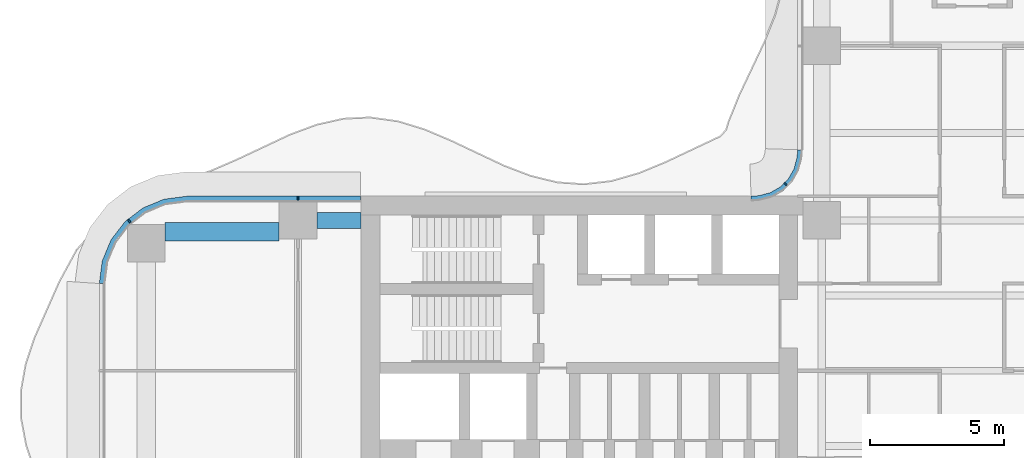
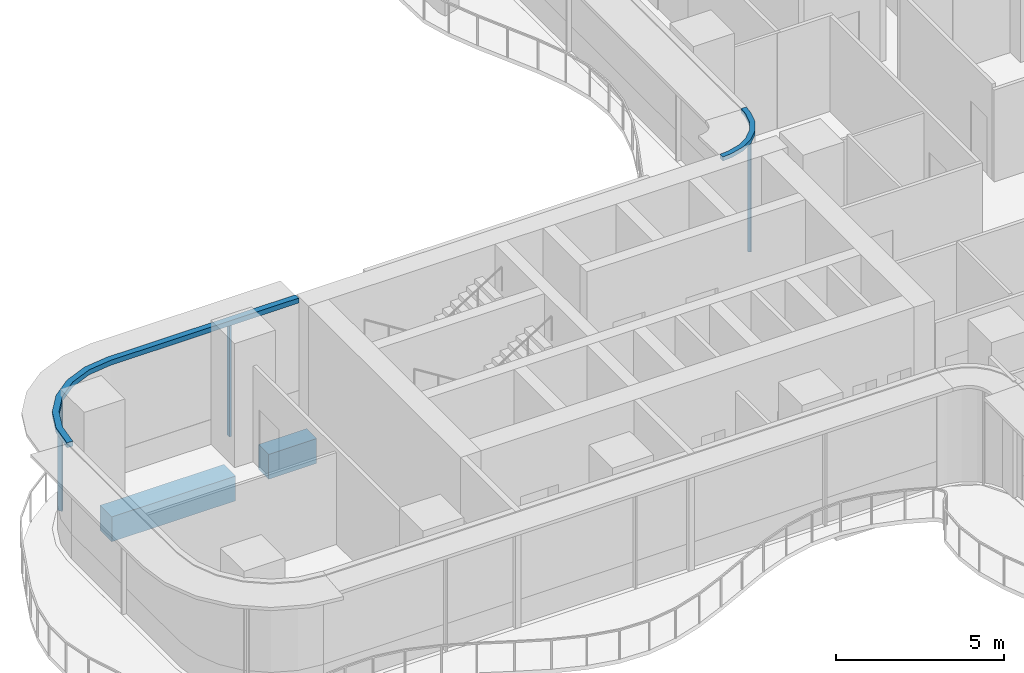
# One storey, part 8 of 23: 5 members, 2 beams, 2 elements without a shape of their own.
"""IFC4 building model written with IfcOpenShell, lengths in metres."""

from ifc_helpers import new_model, si_unit, direction, frame, origin, origin_2d, place, context, subcontext, project, spatial, polyline, rectangle, outline, extrude, source, transform, mapped, material, layer, layer_set, material_profile, profile_set, type_object, element, aggregate, save


model = new_model("IFC4")

# Units and contexts
model_context = context("Model", 3, precision=1e-05, world=origin(), true_north=direction((0.0, 1.0)))
body_context = subcontext(model_context, "Body", "Model", "MODEL_VIEW")
ifc_project = project(units=[si_unit("LENGTHUNIT", "METRE"), si_unit("AREAUNIT", "SQUARE_METRE"), si_unit("VOLUMEUNIT", "CUBIC_METRE"), si_unit("PLANEANGLEUNIT", "RADIAN"), si_unit("MASSUNIT", "GRAM", prefix="KILO")], contexts=[model_context])

# Site, building, storey
site_placement = place(None, origin())
site = spatial("IfcSite", under=ifc_project, at=site_placement, CompositionType="ELEMENT")
building_placement = place(site_placement, origin())
building = spatial("IfcBuilding", under=site, at=building_placement, Name="Trellis Farm Tower", CompositionType="ELEMENT")
storey_placement = place(building_placement, frame((0.0, 0.0, 83.5)))
storey = spatial("IfcBuildingStorey", under=building, at=storey_placement, Name="L17", CompositionType="ELEMENT", Elevation=83.5)

# Beams
ifc_material_1 = material(Name="Concrete C60/75", Category="concrete")
ifc_material_profile_1 = material_profile(ifc_material_1, rectangle(XDim=0.699951171875, YDim=0.89990234375, at=origin_2d()), Name="RC spandrel beam 700x900 C60/75")
ifc_profile_set_1 = profile_set([ifc_material_profile_1], Name="Concrete C60/75")
beam_type_1 = type_object("IfcBeamType", Name="RC spandrel beam 700x900 C60/75", PredefinedType="SPANDREL", material=ifc_profile_set_1)
shared_shape_1 = source(origin(), body_context, "Body", "SweptSolid", [
    extrude(rectangle(XDim=0.699951171875, YDim=0.89990234375, at=origin_2d()), origin(), (0.0, 0.0, 1.0), 4.25),
])
beam_1_placement = place(storey_placement, frame((-30.050048828125, 5.175048828125, -0.699951171875), z_axis=(1.0, 0.0, 0.0), x_axis=(0.0, 1.0, 0.0)))
element("IfcBeam", 1, at=beam_1_placement, inside=storey, type_object=beam_type_1, Name="Girder", PredefinedType="SPANDREL", context=body_context, shape_type="MappedRepresentation", body=[
    mapped(shared_shape_1, transform((0.0, 0.0, 0.0))),
])
ifc_material_profile_2 = material_profile(ifc_material_1, rectangle(XDim=0.60009765625, YDim=0.89990234375, at=origin_2d()), Name="RC spandrel beam 600x900 C60/75")
ifc_profile_set_2 = profile_set([ifc_material_profile_2], Name="Concrete C60/75")
beam_type_2 = type_object("IfcBeamType", Name="RC spandrel beam 600x900 C60/75", PredefinedType="SPANDREL", material=ifc_profile_set_2)
shared_shape_2 = source(origin(), body_context, "Body", "SweptSolid", [
    extrude(rectangle(XDim=0.60009765625, YDim=0.89990234375, at=origin_2d()), origin(), (0.0, 0.0, 1.0), 1.64990234375),
])
beam_2_placement = place(storey_placement, frame((-24.39990234375, 5.60009765625, -0.699951171875), z_axis=(1.0, 0.0, 0.0), x_axis=(0.0, 1.0, 0.0)))
element("IfcBeam", 2, at=beam_2_placement, inside=storey, type_object=beam_type_2, Name="Girder", PredefinedType="SPANDREL", context=body_context, shape_type="MappedRepresentation", body=[
    mapped(shared_shape_2, transform((0.0, 0.0, 0.0))),
])

# Curtain wall, members
ifc_material_2 = material(Name="Aluminium and glass curtain wall", Category="aluminium")
ifc_layer_1 = layer(ifc_material_2, 0.18994140625)
ifc_layer_set_1 = layer_set([ifc_layer_1], Name="RIBBON CURTAIN WALL CW1")
curtain_wall_type_1 = type_object("IfcCurtainWallType", Name="RIBBON CURTAIN WALL CW1", PredefinedType="NOTDEFINED", material=ifc_layer_set_1)
placement = place(storey_placement, origin())
curtain_wall_1 = element("IfcCurtainWall", 3, at=placement, inside=storey, type_object=curtain_wall_type_1, Name="CW1 012", PredefinedType="NOTDEFINED")
ifc_material_3 = material(Name="Aluminium extrusion 6063-T6", Category="aluminium")
ifc_material_profile_3 = material_profile(ifc_material_3, rectangle(XDim=0.06005859375, YDim=0.14990234375, at=origin_2d()), Name="MULLION 60x150")
ifc_profile_set_3 = profile_set([ifc_material_profile_3], Name="Aluminium extrusion 6063-T6")
member_type_1 = type_object("IfcMemberType", Name="CW1 MULLION 60x150", PredefinedType="MULLION", material=ifc_profile_set_3)
shared_shape_3 = source(origin(), body_context, "Body", "SweptSolid", [
    extrude(rectangle(XDim=0.06005859375, YDim=0.14990234375, at=origin_2d()), origin(), (0.0, 0.0, 1.0), 4.070068359375),
])
member_1_placement = place(storey_placement, frame((-25.10009765625, 6.425048828125, 0.0), z_axis=(0.0, 0.0, 1.0), x_axis=(-1.0, 0.0, 0.0)))
member_1 = element("IfcMember", 4, at=member_1_placement, type_object=member_type_1, Name="MU1 012-01", PredefinedType="MULLION", context=body_context, shape_type="MappedRepresentation", body=[
    mapped(shared_shape_3, transform((0.0, 0.0, 0.0))),
])
member_2_placement = place(storey_placement, frame((-31.385498046875, 5.578369140625, 0.0), z_axis=(0.0, 0.0, 1.0), x_axis=(-0.793353340291, -0.608761429009, 0.0)))
member_2 = element("IfcMember", 5, at=member_2_placement, type_object=member_type_1, Name="MU1 012-02", PredefinedType="MULLION", context=body_context, shape_type="MappedRepresentation", body=[
    mapped(shared_shape_3, transform((0.0, 0.0, 0.0))),
])

ifc_layer_2 = layer(ifc_material_2, 0.166015625)
ifc_layer_set_2 = layer_set([ifc_layer_2], Name="WINTER GARDEN CURTAIN WALL CW3")
curtain_wall_type_2 = type_object("IfcCurtainWallType", Name="WINTER GARDEN CURTAIN WALL CW3", PredefinedType="NOTDEFINED", material=ifc_layer_set_2)
curtain_wall_2 = element("IfcCurtainWall", 6, at=placement, inside=storey, type_object=curtain_wall_type_2, Name="CW3 004", PredefinedType="NOTDEFINED")
ifc_material_profile_4 = material_profile(ifc_material_3, rectangle(XDim=0.050048828125, YDim=0.1201171875, at=origin_2d()), Name="MULLION 50x120")
ifc_profile_set_4 = profile_set([ifc_material_profile_4], Name="Aluminium extrusion 6063-T6")
member_type_2 = type_object("IfcMemberType", Name="CW3 MULLION 50x120", PredefinedType="MULLION", material=ifc_profile_set_4)
shared_shape_4 = source(origin(), body_context, "Body", "SweptSolid", [
    extrude(rectangle(XDim=0.050048828125, YDim=0.1201171875, at=origin_2d()), origin(), (0.0, 0.0, 1.0), 4.10009765625),
])
member_3_placement = place(storey_placement, frame((-6.953125, 6.953125, 0.0), z_axis=(0.0, 0.0, 1.0), x_axis=(-0.707106781187, -0.707106781187, 0.0)))
member_3 = element("IfcMember", 7, at=member_3_placement, type_object=member_type_2, Name="MU3 004-01", PredefinedType="MULLION", context=body_context, shape_type="MappedRepresentation", body=[
    mapped(shared_shape_4, transform((0.0, 0.0, 0.0))),
])
ifc_layer_3 = layer(ifc_material_3, 0.169921875)
ifc_layer_set_3 = layer_set([ifc_layer_3], Name="Aluminium extrusion 6063-T6")
member_type_3 = type_object("IfcMemberType", Name="CW3 TRANSOM 170x150", PredefinedType="USERDEFINED", material=ifc_layer_set_3)
shared_shape_5 = source(origin(), body_context, "Body", "SweptSolid", [
    extrude(outline(polyline([(-6.5, 8.2314453125), (-6.513916015625, 8.01953125), (-6.527587890625, 7.91552734375), (-6.63671875, 7.508544921875), (-6.846923828125, 7.144287109375), (-7.144287109375, 6.846923828125), (-7.508544921875, 6.63671875), (-7.91552734375, 6.527587890625), (-8.01953125, 6.513916015625), (-8.2314453125, 6.5), (-8.225830078125, 6.330078125), (-8.0029296875, 6.3447265625), (-7.88232421875, 6.360595703125), (-7.44287109375, 6.478271484375), (-7.0400390625, 6.7109375), (-6.7109375, 7.0400390625), (-6.478271484375, 7.44287109375), (-6.360595703125, 7.88232421875), (-6.3447265625, 8.0029296875), (-6.330078125, 8.225830078125), (-6.5, 8.2314453125)])), origin(), (0.0, 0.0, 1.0), 0.14990234375),
])
member_4_placement = place(storey_placement, frame((0.0, 0.0, 4.10009765625)))
member_4 = element("IfcMember", 8, at=member_4_placement, type_object=member_type_3, Name="TR3 004", ObjectType="TRANSOM", PredefinedType="USERDEFINED", context=body_context, shape_type="MappedRepresentation", body=[
    mapped(shared_shape_5, transform((0.0, 0.0, 0.0))),
])
aggregate(curtain_wall_2, [member_3, member_4])

# Member
ifc_layer_4 = layer(ifc_material_3, 0.199951171875)
ifc_layer_set_4 = layer_set([ifc_layer_4], Name="Aluminium extrusion 6063-T6")
member_type_4 = type_object("IfcMemberType", Name="CW1 TRANSOM 200x180", PredefinedType="USERDEFINED", material=ifc_layer_set_4)
shared_shape_6 = source(origin(), body_context, "Body", "SweptSolid", [
    extrude(outline(polyline([(-22.780029296875, 6.5), (-29.25, 6.5), (-30.091064453125, 6.38916015625), (-30.875, 6.064697265625), (-31.548095703125, 5.548095703125), (-32.064697265625, 4.875), (-32.38916015625, 4.091064453125), (-32.5, 3.25), (-32.300048828125, 3.23681640625), (-32.1943359375, 4.0390625), (-31.889892578125, 4.774169921875), (-31.405517578125, 5.405517578125), (-30.774169921875, 5.889892578125), (-30.0390625, 6.1943359375), (-29.23681640625, 6.300048828125), (-22.780029296875, 6.300048828125), (-22.780029296875, 6.5)])), origin(), (0.0, 0.0, 1.0), 0.179931640625),
])
member_5_placement = place(storey_placement, frame((0.0, 0.0, 4.070068359375)))
member_5 = element("IfcMember", 9, at=member_5_placement, type_object=member_type_4, Name="TR1 012", ObjectType="TRANSOM", PredefinedType="USERDEFINED", context=body_context, shape_type="MappedRepresentation", body=[
    mapped(shared_shape_6, transform((0.0, 0.0, 0.0))),
])

aggregate(curtain_wall_1, [member_1, member_2, member_5])

save(model, "model.ifc")
